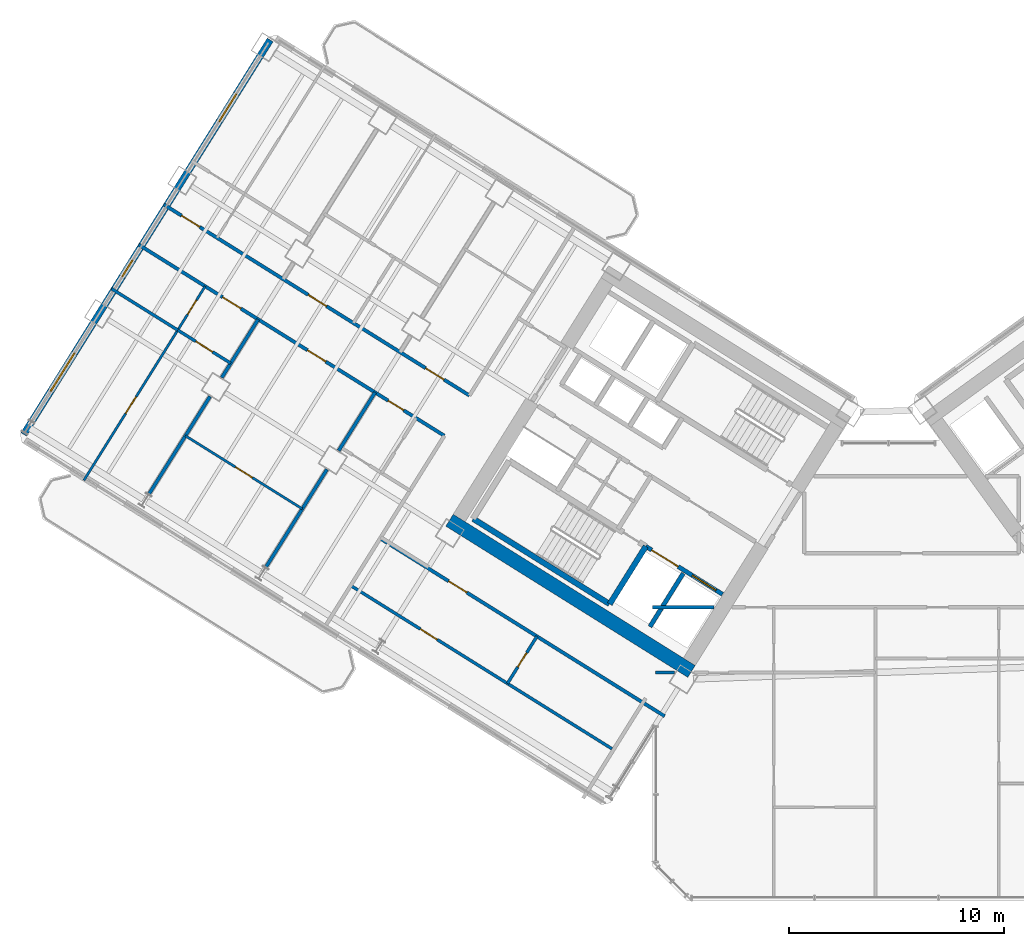
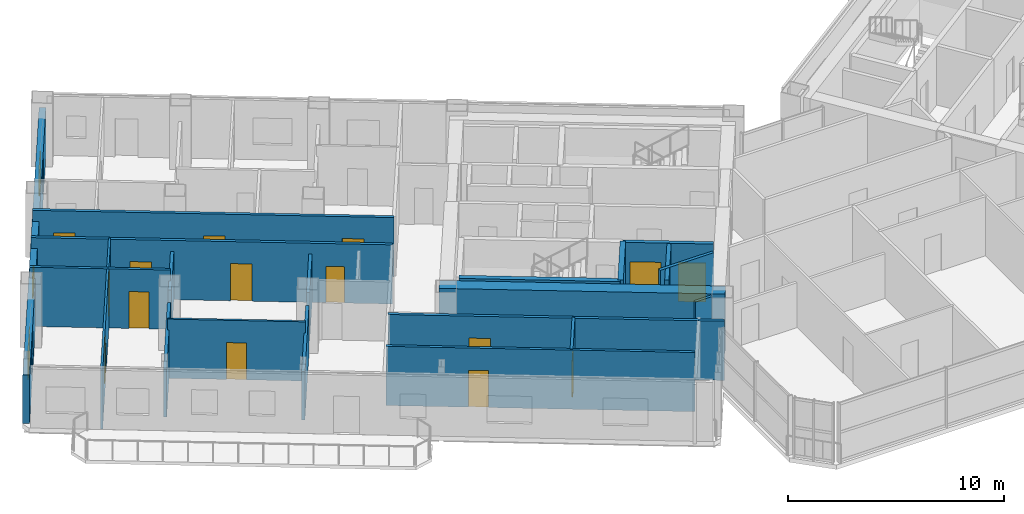
# One storey, part 15 of 28: 21 walls, 15 doors, 3 windows, 18 openings.
"""IFC4 building model written with IfcOpenShell, lengths in metres."""

from ifc_helpers import new_model, si_unit, direction, frame, frame_2d, origin, place, context, subcontext, project, spatial, rectangle, extrude, source, transform, mapped, material, layer, layer_set, type_object, element, fill, save


model = new_model("IFC4")

# Units and contexts
model_context = context("Model", 3, precision=1e-05, world=origin(), true_north=direction((0.0, 1.0)))
body_context = subcontext(model_context, "Body", "Model", "MODEL_VIEW")
ifc_project = project(units=[si_unit("LENGTHUNIT", "METRE"), si_unit("AREAUNIT", "SQUARE_METRE"), si_unit("VOLUMEUNIT", "CUBIC_METRE"), si_unit("PLANEANGLEUNIT", "RADIAN"), si_unit("MASSUNIT", "GRAM", prefix="KILO")], contexts=[model_context])

# Site, building, storey
site_placement = place(None, origin())
site = spatial("IfcSite", under=ifc_project, at=site_placement, CompositionType="ELEMENT")
building_placement = place(site_placement, origin())
building = spatial("IfcBuilding", under=site, at=building_placement, Name="Tlacorven Tower", CompositionType="ELEMENT")
storey_placement = place(building_placement, frame((0.0, 0.0, 49.199951171875)))
storey = spatial("IfcBuildingStorey", under=building, at=storey_placement, Name="L12", CompositionType="ELEMENT", Elevation=49.199951171875)

# Wall
ifc_material_1 = material(Name="Concrete C60/75", Category="concrete")
ifc_layer_1 = layer(ifc_material_1, 0.64990234375)
ifc_layer_set_1 = layer_set([ifc_layer_1], Name="Concrete C60/75")
wall_type_1 = type_object("IfcWallType", Name="WL-COR-650", PredefinedType="SHEAR", material=ifc_layer_set_1)
wall_1_placement = place(storey_placement, frame((33.40869140625, 12.449951171875, 0.0), z_axis=(0.0, 0.0, 1.0), x_axis=(-0.848051132073, 0.529914405721, 0.0)))
element("IfcWall", 1, at=wall_1_placement, inside=storey, type_object=wall_type_1, Name="L12 W core shear wall S2", PredefinedType="SHEAR", context=body_context, shape_type="SweptSolid", body=[
    extrude(rectangle(XDim=13.239990234375, YDim=0.64990234375, at=frame_2d((6.6201171875, 0.0))), origin(), (0.0, 0.0, 1.0), 3.35009765625),
])

# Wall, openings, doors
ifc_material_2 = material(Name="Gypsum plasterboard acoustic partition", Category="gypsum")
ifc_layer_2 = layer(ifc_material_2, 0.159912109375)
ifc_layer_set_2 = layer_set([ifc_layer_2], Name="Gypsum plasterboard acoustic partition")
wall_type_2 = type_object("IfcWallType", Name="WL-DEM-160", PredefinedType="PARTITIONING", material=ifc_layer_set_2)
wall_2_placement = place(storey_placement, frame((23.104248046875, 25.25634765625, 0.0), z_axis=(0.0, 0.0, 1.0), x_axis=(-0.848041752158, 0.529929416617, 0.0)))
wall_2 = element("IfcWall", 2, at=wall_2_placement, inside=storey, type_object=wall_type_2, Name="L12 Wing W Corridor South Wall", PredefinedType="PARTITIONING", context=body_context, shape_type="SweptSolid", body=[
    extrude(rectangle(XDim=16.72998046875, YDim=0.159912109375, at=frame_2d((8.364990234375, 0.0))), origin(), (0.0, 0.0, 1.0), 3.340087890625),
])
opening_1_placement = place(wall_2_placement, frame((1.39501953125, 0.0, 0.0)))
opening_1 = element("IfcOpeningElement", 3, at=opening_1_placement, cuts=wall_2, Name="Opening D11", PredefinedType="OPENING", context=body_context, shape_type="SweptSolid", body=[
    extrude(rectangle(XDim=1.0, YDim=2.10009765625, at=frame_2d((0.5, 1.050048828125))), frame((0.0, 0.08984375, 0.0), z_axis=(0.0, -1.0, 0.0), x_axis=(1.0, 0.0, 0.0)), (0.0, 0.0, 1.0), 0.179931640625),
])
opening_2_placement = place(wall_2_placement, frame((7.820068359375, 0.0, 0.0)))
opening_2 = element("IfcOpeningElement", 4, at=opening_2_placement, cuts=wall_2, Name="Opening D11", PredefinedType="OPENING", context=body_context, shape_type="SweptSolid", body=[
    extrude(rectangle(XDim=1.0, YDim=2.10009765625, at=frame_2d((0.5, 1.050048828125))), frame((0.0, 0.08984375, 0.0), z_axis=(0.0, -1.0, 0.0), x_axis=(1.0, 0.0, 0.0)), (0.0, 0.0, 1.0), 0.179931640625),
])
opening_3_placement = place(wall_2_placement, frame((14.760009765625, 0.0, 0.0)))
opening_3 = element("IfcOpeningElement", 5, at=opening_3_placement, cuts=wall_2, Name="Opening D11", PredefinedType="OPENING", context=body_context, shape_type="SweptSolid", body=[
    extrude(rectangle(XDim=1.0, YDim=2.10009765625, at=frame_2d((0.5, 1.050048828125))), frame((0.0, 0.08984375, 0.0), z_axis=(0.0, -1.0, 0.0), x_axis=(1.0, 0.0, 0.0)), (0.0, 0.0, 1.0), 0.179931640625),
])
ifc_material_3 = material(Name="Fire-rated steel door assembly", Category="steel")
door_type_1 = type_object("IfcDoorType", Name="DR-FLT-FD60-1000", OperationType="NOTDEFINED", PredefinedType="DOOR", material=ifc_material_3)
shared_shape_1 = source(origin(), body_context, "Body", "SweptSolid", [
    extrude(rectangle(XDim=1.0, YDim=2.10009765625, at=frame_2d((0.5, 1.050048828125))), frame((0.0, 0.02490234375, 0.0), z_axis=(0.0, -1.0, 0.0), x_axis=(1.0, 0.0, 0.0)), (0.0, 0.0, 1.0), 0.050048828125),
])
door_1_placement = place(opening_1_placement, origin())
door_1 = element("IfcDoor", 6, at=door_1_placement, inside=storey, type_object=door_type_1, Name="L12 door 033", OperationType="SINGLE_SWING_LEFT", OverallHeight=2.10009765625, OverallWidth=1.0, PredefinedType="DOOR", context=body_context, shape_type="MappedRepresentation", body=[
    mapped(shared_shape_1, transform((0.0, 0.0, 0.0), scale=1.0)),
])
fill(opening_1, door_1)
door_2_placement = place(opening_2_placement, origin())
door_2 = element("IfcDoor", 7, at=door_2_placement, inside=storey, type_object=door_type_1, Name="L12 door 036", OperationType="SINGLE_SWING_RIGHT", OverallHeight=2.10009765625, OverallWidth=1.0, PredefinedType="DOOR", context=body_context, shape_type="MappedRepresentation", body=[
    mapped(shared_shape_1, transform((0.0, 0.0, 0.0), scale=1.0)),
])
fill(opening_2, door_2)
door_3_placement = place(opening_3_placement, origin())
door_3 = element("IfcDoor", 8, at=door_3_placement, inside=storey, type_object=door_type_1, Name="L12 door 040", OperationType="SINGLE_SWING_RIGHT", OverallHeight=2.10009765625, OverallWidth=1.0, PredefinedType="DOOR", context=body_context, shape_type="MappedRepresentation", body=[
    mapped(shared_shape_1, transform((0.0, 0.0, 0.0), scale=1.0)),
])
fill(opening_3, door_3)

wall_3_placement = place(storey_placement, frame((21.9384765625, 23.390625, 0.0), z_axis=(0.0, 0.0, 1.0), x_axis=(-0.848045850158, 0.529922858565, 0.0)))
wall_3 = element("IfcWall", 9, at=wall_3_placement, inside=storey, type_object=wall_type_2, Name="L12 Wing W Corridor North Wall", PredefinedType="PARTITIONING", context=body_context, shape_type="SweptSolid", body=[
    extrude(rectangle(XDim=16.730224609375, YDim=0.159912109375, at=frame_2d((8.365234375, 0.0))), origin(), (0.0, 0.0, 1.0), 3.340087890625),
])
opening_4_placement = place(wall_3_placement, frame((2.219970703125, 0.0, 0.0)))
opening_4 = element("IfcOpeningElement", 10, at=opening_4_placement, cuts=wall_3, Name="Opening D19", PredefinedType="OPENING", context=body_context, shape_type="SweptSolid", body=[
    extrude(rectangle(XDim=0.860107421875, YDim=2.050048828125, at=frame_2d((0.43017578125, 1.02490234375))), frame((0.0, 0.08984375, 0.0), z_axis=(0.0, -1.0, 0.0), x_axis=(1.0, 0.0, 0.0)), (0.0, 0.0, 1.0), 0.179931640625),
])
opening_5_placement = place(wall_3_placement, frame((6.489990234375, 0.0, 0.0)))
opening_5 = element("IfcOpeningElement", 11, at=opening_5_placement, cuts=wall_3, Name="Opening D11", PredefinedType="OPENING", context=body_context, shape_type="SweptSolid", body=[
    extrude(rectangle(XDim=1.0, YDim=2.10009765625, at=frame_2d((0.5, 1.050048828125))), frame((0.0, 0.08984375, 0.0), z_axis=(0.0, -1.0, 0.0), x_axis=(1.0, 0.0, 0.0)), (0.0, 0.0, 1.0), 0.179931640625),
])
opening_6_placement = place(wall_3_placement, frame((11.139892578125, 0.0, 0.0)))
opening_6 = element("IfcOpeningElement", 12, at=opening_6_placement, cuts=wall_3, Name="Opening D11", PredefinedType="OPENING", context=body_context, shape_type="SweptSolid", body=[
    extrude(rectangle(XDim=1.0, YDim=2.10009765625, at=frame_2d((0.5, 1.050048828125))), frame((0.0, 0.08984375, 0.0), z_axis=(0.0, -1.0, 0.0), x_axis=(1.0, 0.0, 0.0)), (0.0, 0.0, 1.0), 0.179931640625),
])
door_type_2 = type_object("IfcDoorType", Name="DR-RSR-FD60-0860", OperationType="NOTDEFINED", PredefinedType="DOOR", material=ifc_material_3)
shared_shape_2 = source(origin(), body_context, "Body", "SweptSolid", [
    extrude(rectangle(XDim=0.860107421875, YDim=2.050048828125, at=frame_2d((0.43017578125, 1.02490234375))), frame((0.0, 0.02490234375, 0.0), z_axis=(0.0, -1.0, 0.0), x_axis=(1.0, 0.0, 0.0)), (0.0, 0.0, 1.0), 0.050048828125),
])
door_4_placement = place(opening_4_placement, origin())
door_4 = element("IfcDoor", 13, at=door_4_placement, inside=storey, type_object=door_type_2, Name="L12 door 023", OperationType="SINGLE_SWING_LEFT", OverallHeight=2.050048828125, OverallWidth=0.860107421875, PredefinedType="DOOR", context=body_context, shape_type="MappedRepresentation", body=[
    mapped(shared_shape_2, transform((0.0, 0.0, 0.0), scale=1.0)),
])
fill(opening_4, door_4)
door_5_placement = place(opening_5_placement, origin())
door_5 = element("IfcDoor", 14, at=door_5_placement, inside=storey, type_object=door_type_1, Name="L12 door 026", OperationType="SINGLE_SWING_RIGHT", OverallHeight=2.10009765625, OverallWidth=1.0, PredefinedType="DOOR", context=body_context, shape_type="MappedRepresentation", body=[
    mapped(shared_shape_1, transform((0.0, 0.0, 0.0), scale=1.0)),
])
fill(opening_5, door_5)
door_6_placement = place(opening_6_placement, origin())
door_6 = element("IfcDoor", 15, at=door_6_placement, inside=storey, type_object=door_type_1, Name="L12 door 029", OperationType="SINGLE_SWING_LEFT", OverallHeight=2.10009765625, OverallWidth=1.0, PredefinedType="DOOR", context=body_context, shape_type="MappedRepresentation", body=[
    mapped(shared_shape_1, transform((0.0, 0.0, 0.0), scale=1.0)),
])
fill(opening_6, door_6)

# Walls
wall_4_placement = place(storey_placement, frame((18.724365234375, 25.399169921875, 0.0), z_axis=(0.0, 0.0, 1.0), x_axis=(-0.529930102756, -0.848041323399, 0.0)))
element("IfcWall", 16, at=wall_4_placement, inside=storey, type_object=wall_type_2, Name="L12 WN Demising Wall 1", PredefinedType="PARTITIONING", context=body_context, shape_type="SweptSolid", body=[
    extrude(rectangle(XDim=3.18798828125, YDim=0.159912109375, at=frame_2d((1.593994140625, 0.0))), origin(), (0.0, 0.0, 1.0), 2.72509765625),
])
wall_5_placement = place(storey_placement, frame((16.4921875, 21.8271484375, 0.0), z_axis=(0.0, 0.0, 1.0), x_axis=(-0.529904608059, -0.848057254175, 0.0)))
element("IfcWall", 17, at=wall_5_placement, inside=storey, type_object=wall_type_2, Name="L12 WN Demising Wall 1", PredefinedType="PARTITIONING", context=body_context, shape_type="SweptSolid", body=[
    extrude(rectangle(XDim=5.350830078125, YDim=0.159912109375, at=frame_2d((2.67529296875, 0.0))), origin(), (0.0, 0.0, 1.0), 2.72509765625),
])
wall_6_placement = place(storey_placement, frame((13.296875, 28.79052734375, 0.0), z_axis=(0.0, 0.0, 1.0), x_axis=(-0.529930102756, -0.848041323399, 0.0)))
element("IfcWall", 18, at=wall_6_placement, inside=storey, type_object=wall_type_2, Name="L12 WN Demising Wall 2", PredefinedType="PARTITIONING", context=body_context, shape_type="SweptSolid", body=[
    extrude(rectangle(XDim=3.18798828125, YDim=0.159912109375, at=frame_2d((1.593994140625, 0.0))), origin(), (0.0, 0.0, 1.0), 2.72509765625),
])
wall_7_placement = place(storey_placement, frame((11.064697265625, 25.218505859375, 0.0), z_axis=(0.0, 0.0, 1.0), x_axis=(-0.529904608059, -0.848057254175, 0.0)))
element("IfcWall", 19, at=wall_7_placement, inside=storey, type_object=wall_type_2, Name="L12 WN Demising Wall 2", PredefinedType="PARTITIONING", context=body_context, shape_type="SweptSolid", body=[
    extrude(rectangle(XDim=5.350830078125, YDim=0.159912109375, at=frame_2d((2.67529296875, 0.0))), origin(), (0.0, 0.0, 1.0), 2.72509765625),
])

# Wall, opening, door
wall_8_placement = place(storey_placement, frame((32.164306640625, 10.373779296875, 0.0), z_axis=(0.0, 0.0, 1.0), x_axis=(-0.848044107957, 0.529925646633, 0.0)))
wall_8 = element("IfcWall", 20, at=wall_8_placement, inside=storey, type_object=wall_type_2, Name="L12 partition 75", PredefinedType="PARTITIONING", context=body_context, shape_type="SweptSolid", body=[
    extrude(rectangle(XDim=15.570068359375, YDim=0.159912109375, at=frame_2d((7.78515625, 0.0))), origin(), (0.0, 0.0, 1.0), 3.340087890625),
])
opening_7_placement = place(wall_8_placement, frame((10.830078125, 0.0, 0.0)))
opening_7 = element("IfcOpeningElement", 21, at=opening_7_placement, cuts=wall_8, Name="Opening D11", PredefinedType="OPENING", context=body_context, shape_type="SweptSolid", body=[
    extrude(rectangle(XDim=1.0, YDim=2.10009765625, at=frame_2d((0.5, 1.050048828125))), frame((0.0, 0.08984375, 0.0), z_axis=(0.0, -1.0, 0.0), x_axis=(1.0, 0.0, 0.0)), (0.0, 0.0, 1.0), 0.179931640625),
])
door_7_placement = place(opening_7_placement, origin())
door_7 = element("IfcDoor", 22, at=door_7_placement, inside=storey, type_object=door_type_1, Name="L12 door 044", OperationType="SINGLE_SWING_RIGHT", OverallHeight=2.10009765625, OverallWidth=1.0, PredefinedType="DOOR", context=body_context, shape_type="MappedRepresentation", body=[
    mapped(shared_shape_1, transform((0.0, 0.0, 0.0), scale=1.0)),
])
fill(opening_7, door_7)

# Wall
wall_9_placement = place(storey_placement, frame((31.60009765625, 15.419921875, 0.0), z_axis=(0.0, 0.0, 1.0), x_axis=(1.0, 0.0, 0.0)))
element("IfcWall", 23, at=wall_9_placement, inside=storey, type_object=wall_type_2, Name="L12 Knuckle Corridor South Wall", PredefinedType="PARTITIONING", context=body_context, shape_type="SweptSolid", body=[
    extrude(rectangle(XDim=2.8662109375, YDim=0.159912109375, at=frame_2d((1.43310546875, 0.0))), origin(), (0.0, 0.0, 1.0), 3.340087890625),
])

# Wall, openings, windows
ifc_material_4 = material(Name="Precast concrete C45/55", Category="concrete")
ifc_layer_3 = layer(ifc_material_4, 0.320068359375)
ifc_layer_set_3 = layer_set([ifc_layer_3], Name="Precast concrete C45/55")
wall_type_3 = type_object("IfcWallType", Name="WL-EXT-320", PredefinedType="STANDARD", material=ifc_layer_set_3)
wall_10_placement = place(storey_placement, frame((2.41455078125, 23.452392578125, 0.0), z_axis=(0.0, 0.0, 1.0), x_axis=(0.52991049553, 0.848053575387, 0.0)))
wall_10 = element("IfcWall", 24, at=wall_10_placement, inside=storey, type_object=wall_type_3, Name="L12 Masonry-Frame Recessed Facade Wall 2", PredefinedType="STANDARD", context=body_context, shape_type="SweptSolid", body=[
    extrude(rectangle(XDim=21.58740234375, YDim=0.320068359375, at=frame_2d((10.793701171875, 0.0))), origin(), (0.0, 0.0, 1.0), 2.72509765625),
])
opening_8_placement = place(wall_10_placement, frame((2.356201171875, 0.0, 0.800048828125)))
opening_8 = element("IfcOpeningElement", 25, at=opening_8_placement, cuts=wall_10, Name="Opening WN04", PredefinedType="OPENING", context=body_context, shape_type="SweptSolid", body=[
    extrude(rectangle(XDim=2.10009765625, YDim=1.550048828125, at=frame_2d((1.050048828125, 0.77490234375))), frame((0.0, 0.169921875, 0.0), z_axis=(0.0, -1.0, 0.0), x_axis=(1.0, 0.0, 0.0)), (0.0, 0.0, 1.0), 0.340087890625),
])
opening_9_placement = place(wall_10_placement, frame((8.638671875, 0.0, 1.0)))
opening_9 = element("IfcOpeningElement", 26, at=opening_9_placement, cuts=wall_10, Name="Opening WN05", PredefinedType="OPENING", context=body_context, shape_type="SweptSolid", body=[
    extrude(rectangle(XDim=0.89990234375, YDim=1.25, at=frame_2d((0.449951171875, 0.625))), frame((0.0, 0.169921875, 0.0), z_axis=(0.0, -1.0, 0.0), x_axis=(1.0, 0.0, 0.0)), (0.0, 0.0, 1.0), 0.340087890625),
])
opening_10_placement = place(wall_10_placement, frame((17.128662109375, 0.0, 0.85009765625)))
opening_10 = element("IfcOpeningElement", 27, at=opening_10_placement, cuts=wall_10, Name="Opening WN02", PredefinedType="OPENING", context=body_context, shape_type="SweptSolid", body=[
    extrude(rectangle(XDim=1.5, YDim=1.5, at=frame_2d((0.75, 0.75))), frame((0.0, 0.169921875, 0.0), z_axis=(0.0, -1.0, 0.0), x_axis=(1.0, 0.0, 0.0)), (0.0, 0.0, 1.0), 0.340087890625),
])
ifc_material_5 = material(Name="Dark solar low-E double glazing in anodised aluminium frame", Category="aluminium")
window_type_1 = type_object("IfcWindowType", Name="WN-APT-2100X1750", PartitioningType="SINGLE_PANEL", PredefinedType="WINDOW", material=ifc_material_5)
shared_shape_3 = source(origin(), body_context, "Body", "SweptSolid", [
    extrude(rectangle(XDim=2.10009765625, YDim=1.550048828125, at=frame_2d((1.050048828125, 0.77490234375))), frame((0.0, 0.030029296875, 0.0), z_axis=(0.0, -1.0, 0.0), x_axis=(1.0, 0.0, 0.0)), (0.0, 0.0, 1.0), 0.06005859375),
])
window_1_placement = place(opening_8_placement, origin())
window_1 = element("IfcWindow", 28, at=window_1_placement, inside=storey, type_object=window_type_1, Name="L12 Recessed Masonry-Frame Window L12-02.1", OverallHeight=1.550048828125, OverallWidth=2.10009765625, PartitioningType="SINGLE_PANEL", PredefinedType="WINDOW", context=body_context, shape_type="MappedRepresentation", body=[
    mapped(shared_shape_3, transform((0.0, 0.0, 0.0), scale=1.0)),
])
fill(opening_8, window_1)
window_type_2 = type_object("IfcWindowType", Name="WN-APT-1500X1650", PartitioningType="SINGLE_PANEL", PredefinedType="WINDOW", material=ifc_material_5)
shared_shape_4 = source(origin(), body_context, "Body", "SweptSolid", [
    extrude(rectangle(XDim=1.5, YDim=1.5, at=frame_2d((0.75, 0.75))), frame((0.0, 0.030029296875, 0.0), z_axis=(0.0, -1.0, 0.0), x_axis=(1.0, 0.0, 0.0)), (0.0, 0.0, 1.0), 0.06005859375),
])
window_2_placement = place(opening_10_placement, origin())
window_2 = element("IfcWindow", 29, at=window_2_placement, inside=storey, type_object=window_type_2, Name="L12 Recessed Masonry-Frame Window L12-02.3", OverallHeight=1.5, OverallWidth=1.5, PartitioningType="SINGLE_PANEL", PredefinedType="WINDOW", context=body_context, shape_type="MappedRepresentation", body=[
    mapped(shared_shape_4, transform((0.0, 0.0, 0.0), scale=1.0)),
])
fill(opening_10, window_2)
window_type_3 = type_object("IfcWindowType", Name="WN-APT-0900X1350", PartitioningType="SINGLE_PANEL", PredefinedType="WINDOW", material=ifc_material_5)
shared_shape_5 = source(origin(), body_context, "Body", "SweptSolid", [
    extrude(rectangle(XDim=0.89990234375, YDim=1.25, at=frame_2d((0.449951171875, 0.625))), frame((0.0, 0.030029296875, 0.0), z_axis=(0.0, -1.0, 0.0), x_axis=(1.0, 0.0, 0.0)), (0.0, 0.0, 1.0), 0.06005859375),
])
window_3_placement = place(opening_9_placement, origin())
window_3 = element("IfcWindow", 30, at=window_3_placement, inside=storey, type_object=window_type_3, Name="L12 Recessed Masonry-Frame Window L12-02.2", OverallHeight=1.25, OverallWidth=0.89990234375, PartitioningType="SINGLE_PANEL", PredefinedType="WINDOW", context=body_context, shape_type="MappedRepresentation", body=[
    mapped(shared_shape_5, transform((0.0, 0.0, 0.0), scale=1.0)),
])
fill(opening_9, window_3)

# Wall, opening, door
ifc_material_6 = material(Name="Gypsum plasterboard partition", Category="gypsum")
ifc_layer_4 = layer(ifc_material_6, 0.110107421875)
ifc_layer_set_4 = layer_set([ifc_layer_4], Name="Gypsum plasterboard partition")
wall_type_4 = type_object("IfcWallType", Name="WL-INT-110", PredefinedType="PARTITIONING", material=ifc_layer_set_4)
wall_11_placement = place(storey_placement, frame((15.34765625, 19.995361328125, 0.0), z_axis=(0.0, 0.0, 1.0), x_axis=(-0.848056163074, 0.529906354247, 0.0)))
wall_11 = element("IfcWall", 31, at=wall_11_placement, inside=storey, type_object=wall_type_4, Name="L12 partition 60", PredefinedType="PARTITIONING", context=body_context, shape_type="SweptSolid", body=[
    extrude(rectangle(XDim=6.39990234375, YDim=0.110107421875, at=frame_2d((3.199951171875, 0.0))), origin(), (0.0, 0.0, 1.0), 3.340087890625),
])
opening_11_placement = place(wall_11_placement, frame((2.739990234375, 0.0, 0.0)))
opening_11 = element("IfcOpeningElement", 32, at=opening_11_placement, cuts=wall_11, Name="Opening D12", PredefinedType="OPENING", context=body_context, shape_type="SweptSolid", body=[
    extrude(rectangle(XDim=0.919921875, YDim=2.080078125, at=frame_2d((0.4599609375, 1.0400390625))), frame((0.0, 0.06494140625, 0.0), z_axis=(0.0, -1.0, 0.0), x_axis=(1.0, 0.0, 0.0)), (0.0, 0.0, 1.0), 0.130126953125),
])
ifc_material_7 = material(Name="Powder-coated aluminium and timber door", Category="wood")
door_type_3 = type_object("IfcDoorType", Name="DR-INT-ROOM-0920", OperationType="NOTDEFINED", PredefinedType="DOOR", material=ifc_material_7)
shared_shape_6 = source(origin(), body_context, "Body", "SweptSolid", [
    extrude(rectangle(XDim=0.919921875, YDim=2.080078125, at=frame_2d((0.4599609375, 1.0400390625))), frame((0.0, 0.02490234375, 0.0), z_axis=(0.0, -1.0, 0.0), x_axis=(1.0, 0.0, 0.0)), (0.0, 0.0, 1.0), 0.050048828125),
])
door_8_placement = place(opening_11_placement, origin())
door_8 = element("IfcDoor", 33, at=door_8_placement, inside=storey, type_object=door_type_3, Name="L12 door 027", OperationType="SINGLE_SWING_LEFT", OverallHeight=2.080078125, OverallWidth=0.919921875, PredefinedType="DOOR", context=body_context, shape_type="MappedRepresentation", body=[
    mapped(shared_shape_6, transform((0.0, 0.0, 0.0), scale=1.0)),
])
fill(opening_11, door_8)

# Wall, openings, doors
wall_12_placement = place(storey_placement, frame((10.83740234375, 30.327392578125, 0.0), z_axis=(0.0, 0.0, 1.0), x_axis=(-0.529912148489, -0.848052542525, 0.0)))
wall_12 = element("IfcWall", 34, at=wall_12_placement, inside=storey, type_object=wall_type_4, Name="L12 partition 61", PredefinedType="PARTITIONING", context=body_context, shape_type="SweptSolid", body=[
    extrude(rectangle(XDim=10.6201171875, YDim=0.110107421875, at=frame_2d((5.31005859375, 0.0))), origin(), (0.0, 0.0, 1.0), 3.340087890625),
])
opening_12_placement = place(wall_12_placement, frame((0.760009765625, 0.0, 0.0)))
opening_12 = element("IfcOpeningElement", 35, at=opening_12_placement, cuts=wall_12, Name="Opening D22", PredefinedType="OPENING", context=body_context, shape_type="SweptSolid", body=[
    extrude(rectangle(XDim=0.780029296875, YDim=2.050048828125, at=frame_2d((0.39013671875, 1.02490234375))), frame((0.0, 0.06494140625, 0.0), z_axis=(0.0, -1.0, 0.0), x_axis=(1.0, 0.0, 0.0)), (0.0, 0.0, 1.0), 0.130126953125),
])
opening_13_placement = place(wall_12_placement, frame((6.050048828125, 0.0, 0.0)))
opening_13 = element("IfcOpeningElement", 36, at=opening_13_placement, cuts=wall_12, Name="Opening D12", PredefinedType="OPENING", context=body_context, shape_type="SweptSolid", body=[
    extrude(rectangle(XDim=0.919921875, YDim=2.080078125, at=frame_2d((0.4599609375, 1.0400390625))), frame((0.0, 0.06494140625, 0.0), z_axis=(0.0, -1.0, 0.0), x_axis=(1.0, 0.0, 0.0)), (0.0, 0.0, 1.0), 0.130126953125),
])
door_type_4 = type_object("IfcDoorType", Name="DR-INT-WET-0780", OperationType="NOTDEFINED", PredefinedType="DOOR", material=ifc_material_7)
shared_shape_7 = source(origin(), body_context, "Body", "SweptSolid", [
    extrude(rectangle(XDim=0.780029296875, YDim=2.050048828125, at=frame_2d((0.39013671875, 1.02490234375))), frame((0.0, 0.02490234375, 0.0), z_axis=(0.0, -1.0, 0.0), x_axis=(1.0, 0.0, 0.0)), (0.0, 0.0, 1.0), 0.050048828125),
])
door_9_placement = place(opening_12_placement, origin())
door_9 = element("IfcDoor", 37, at=door_9_placement, inside=storey, type_object=door_type_4, Name="L12 door 031", OperationType="SINGLE_SWING_LEFT", OverallHeight=2.050048828125, OverallWidth=0.780029296875, PredefinedType="DOOR", context=body_context, shape_type="MappedRepresentation", body=[
    mapped(shared_shape_7, transform((0.0, 0.0, 0.0), scale=1.0)),
])
fill(opening_12, door_9)
door_10_placement = place(opening_13_placement, origin())
door_10 = element("IfcDoor", 38, at=door_10_placement, inside=storey, type_object=door_type_3, Name="L12 door 032", OperationType="SINGLE_SWING_RIGHT", OverallHeight=2.080078125, OverallWidth=0.919921875, PredefinedType="DOOR", context=body_context, shape_type="MappedRepresentation", body=[
    mapped(shared_shape_6, transform((0.0, 0.0, 0.0), scale=1.0)),
])
fill(opening_13, door_10)

# Wall, opening, door
ifc_material_8 = material(Name="Moisture-resistant gypsum plumbing wall", Category="gypsum")
ifc_layer_5 = layer(ifc_material_8, 0.139892578125)
ifc_layer_set_5 = layer_set([ifc_layer_5], Name="Moisture-resistant gypsum plumbing wall")
wall_type_5 = type_object("IfcWallType", Name="WL-PLM-140", PredefinedType="PLUMBINGWALL", material=ifc_layer_set_5)
wall_13_placement = place(storey_placement, frame((12.02490234375, 26.75537109375, 0.0), z_axis=(0.0, 0.0, 1.0), x_axis=(-0.848059786386, 0.529900555496, 0.0)))
wall_13 = element("IfcWall", 39, at=wall_13_placement, inside=storey, type_object=wall_type_5, Name="L12 partition 63", PredefinedType="PLUMBINGWALL", context=body_context, shape_type="SweptSolid", body=[
    extrude(rectangle(XDim=2.89990234375, YDim=0.139892578125, at=frame_2d((1.449951171875, 0.0))), origin(), (0.0, 0.0, 1.0), 3.340087890625),
])
opening_14_placement = place(wall_13_placement, frame((0.989990234375, 0.0, 0.0)))
opening_14 = element("IfcOpeningElement", 40, at=opening_14_placement, cuts=wall_13, Name="Opening D12", PredefinedType="OPENING", context=body_context, shape_type="SweptSolid", body=[
    extrude(rectangle(XDim=0.919921875, YDim=2.080078125, at=frame_2d((0.4599609375, 1.0400390625))), frame((0.0, 0.080078125, 0.0), z_axis=(0.0, -1.0, 0.0), x_axis=(1.0, 0.0, 0.0)), (0.0, 0.0, 1.0), 0.159912109375),
])
door_11_placement = place(opening_14_placement, origin())
door_11 = element("IfcDoor", 41, at=door_11_placement, inside=storey, type_object=door_type_3, Name="L12 door 030", OperationType="SINGLE_SWING_RIGHT", OverallHeight=2.080078125, OverallWidth=0.919921875, PredefinedType="DOOR", context=body_context, shape_type="MappedRepresentation", body=[
    mapped(shared_shape_6, transform((0.0, 0.0, 0.0), scale=1.0)),
])
fill(opening_14, door_11)

# Wall
wall_14_placement = place(storey_placement, frame((9.565673828125, 28.2919921875, 0.0), z_axis=(0.0, 0.0, 1.0), x_axis=(-0.848021036626, 0.529962566074, 0.0)))
element("IfcWall", 42, at=wall_14_placement, inside=storey, type_object=wall_type_5, Name="L12 partition 64", PredefinedType="PLUMBINGWALL", context=body_context, shape_type="SweptSolid", body=[
    extrude(rectangle(XDim=3.619873046875, YDim=0.139892578125, at=frame_2d((1.81005859375, 0.0))), origin(), (0.0, 0.0, 1.0), 3.340087890625),
])

# Wall, opening, door
wall_15_placement = place(storey_placement, frame((29.72021484375, 8.85888671875, 0.0), z_axis=(0.0, 0.0, 1.0), x_axis=(-0.848049134363, 0.529917602752, 0.0)))
wall_15 = element("IfcWall", 43, at=wall_15_placement, inside=storey, type_object=wall_type_5, Name="L12 partition 77", PredefinedType="PLUMBINGWALL", context=body_context, shape_type="SweptSolid", body=[
    extrude(rectangle(XDim=14.300048828125, YDim=0.139892578125, at=frame_2d((7.14990234375, 0.0))), origin(), (0.0, 0.0, 1.0), 3.340087890625),
])
opening_15_placement = place(wall_15_placement, frame((9.570068359375, 0.0, 0.0)))
opening_15 = element("IfcOpeningElement", 44, at=opening_15_placement, cuts=wall_15, Name="Opening D12", PredefinedType="OPENING", context=body_context, shape_type="SweptSolid", body=[
    extrude(rectangle(XDim=0.919921875, YDim=2.080078125, at=frame_2d((0.4599609375, 1.0400390625))), frame((0.0, 0.080078125, 0.0), z_axis=(0.0, -1.0, 0.0), x_axis=(1.0, 0.0, 0.0)), (0.0, 0.0, 1.0), 0.159912109375),
])
door_12_placement = place(opening_15_placement, origin())
door_12 = element("IfcDoor", 45, at=door_12_placement, inside=storey, type_object=door_type_3, Name="L12 door 045", OperationType="SINGLE_SWING_LEFT", OverallHeight=2.080078125, OverallWidth=0.919921875, PredefinedType="DOOR", context=body_context, shape_type="MappedRepresentation", body=[
    mapped(shared_shape_6, transform((0.0, 0.0, 0.0), scale=1.0)),
])
fill(opening_15, door_12)

wall_16_placement = place(storey_placement, frame((26.236572265625, 14.077880859375, 0.0), z_axis=(0.0, 0.0, 1.0), x_axis=(-0.52995640672, -0.848024885824, 0.0)))
wall_16 = element("IfcWall", 46, at=wall_16_placement, inside=storey, type_object=wall_type_5, Name="L12 partition 78", PredefinedType="PLUMBINGWALL", context=body_context, shape_type="SweptSolid", body=[
    extrude(rectangle(XDim=2.579833984375, YDim=0.139892578125, at=frame_2d((1.2900390625, 0.0))), origin(), (0.0, 0.0, 1.0), 3.340087890625),
])
opening_16_placement = place(wall_16_placement, frame((0.89990234375, 0.0, 0.0)))
opening_16 = element("IfcOpeningElement", 47, at=opening_16_placement, cuts=wall_16, Name="Opening D22", PredefinedType="OPENING", context=body_context, shape_type="SweptSolid", body=[
    extrude(rectangle(XDim=0.780029296875, YDim=2.050048828125, at=frame_2d((0.39013671875, 1.02490234375))), frame((0.0, 0.080078125, 0.0), z_axis=(0.0, -1.0, 0.0), x_axis=(1.0, 0.0, 0.0)), (0.0, 0.0, 1.0), 0.159912109375),
])
door_13_placement = place(opening_16_placement, origin())
door_13 = element("IfcDoor", 48, at=door_13_placement, inside=storey, type_object=door_type_4, Name="L12 door 046", OperationType="SINGLE_SWING_RIGHT", OverallHeight=2.050048828125, OverallWidth=0.780029296875, PredefinedType="DOOR", context=body_context, shape_type="MappedRepresentation", body=[
    mapped(shared_shape_7, transform((0.0, 0.0, 0.0), scale=1.0)),
])
fill(opening_16, door_13)

# Wall
wall_17_placement = place(storey_placement, frame((31.739990234375, 12.389892578125, 0.0), z_axis=(0.0, 0.0, 1.0), x_axis=(1.0, 0.0, 0.0)))
element("IfcWall", 49, at=wall_17_placement, inside=storey, type_object=wall_type_5, Name="L12 partition 88", PredefinedType="PLUMBINGWALL", context=body_context, shape_type="SweptSolid", body=[
    extrude(rectangle(XDim=0.891845703125, YDim=0.139892578125, at=frame_2d((0.44580078125, 0.0))), origin(), (0.0, 0.0, 1.0), 3.340087890625),
])

# Wall, openings, doors
ifc_material_9 = material(Name="Concrete C40/50", Category="concrete")
ifc_layer_6 = layer(ifc_material_9, 0.199951171875)
ifc_layer_set_6 = layer_set([ifc_layer_6], Name="Concrete C40/50")
wall_type_6 = type_object("IfcWallType", Name="WL-SHF-200", PredefinedType="STANDARD", material=ifc_layer_set_6)
wall_18_placement = place(storey_placement, frame((34.84814453125, 16.03125, 0.0), z_axis=(0.0, 0.0, 1.0), x_axis=(-0.848044042236, 0.529925751807, 0.0)))
wall_18 = element("IfcWall", 50, at=wall_18_placement, inside=storey, type_object=wall_type_6, Name="L12 Core W Firefighting Lift Shaft Front Wall", PredefinedType="STANDARD", context=body_context, shape_type="SweptSolid", body=[
    extrude(rectangle(XDim=4.197998046875, YDim=0.199951171875, at=frame_2d((2.09912109375, 0.0))), origin(), (0.0, 0.0, 1.0), 3.340087890625),
])
opening_17_placement = place(wall_18_placement, frame((0.347900390625, 0.0, 0.0)))
opening_17 = element("IfcOpeningElement", 51, at=opening_17_placement, cuts=wall_18, Name="Opening LD03", PredefinedType="OPENING", context=body_context, shape_type="SweptSolid", body=[
    extrude(rectangle(XDim=1.300048828125, YDim=2.199951171875, at=frame_2d((0.64990234375, 1.10009765625))), frame((0.0, 0.10986328125, 0.0), z_axis=(0.0, -1.0, 0.0), x_axis=(1.0, 0.0, 0.0)), (0.0, 0.0, 1.0), 0.219970703125),
])
opening_18_placement = place(wall_18_placement, frame((2.423095703125, 0.0, 0.0)))
opening_18 = element("IfcOpeningElement", 52, at=opening_18_placement, cuts=wall_18, Name="Opening LD04", PredefinedType="OPENING", context=body_context, shape_type="SweptSolid", body=[
    extrude(rectangle(XDim=1.449951171875, YDim=2.25, at=frame_2d((0.72509765625, 1.125))), frame((0.0, 0.10986328125, 0.0), z_axis=(0.0, -1.0, 0.0), x_axis=(1.0, 0.0, 0.0)), (0.0, 0.0, 1.0), 0.219970703125),
])
door_type_5 = type_object("IfcDoorType", Name="DR-LFT-SLID-1300", OperationType="DOUBLE_DOOR_SLIDING", PredefinedType="DOOR", material=ifc_material_3)
shared_shape_8 = source(origin(), body_context, "Body", "SweptSolid", [
    extrude(rectangle(XDim=1.300048828125, YDim=2.199951171875, at=frame_2d((0.64990234375, 1.10009765625))), frame((0.0, 0.02490234375, 0.0), z_axis=(0.0, -1.0, 0.0), x_axis=(1.0, 0.0, 0.0)), (0.0, 0.0, 1.0), 0.050048828125),
])
door_14_placement = place(opening_17_placement, origin())
door_14 = element("IfcDoor", 53, at=door_14_placement, inside=storey, type_object=door_type_5, Name="L12 Lift FFL-W1 Sliding Landing Door", OperationType="DOUBLE_DOOR_SLIDING", OverallHeight=2.199951171875, OverallWidth=1.300048828125, PredefinedType="DOOR", context=body_context, shape_type="MappedRepresentation", body=[
    mapped(shared_shape_8, transform((0.0, 0.0, 0.0), scale=1.0)),
])
fill(opening_17, door_14)
door_type_6 = type_object("IfcDoorType", Name="DR-LFT-SLID-1450", OperationType="DOUBLE_DOOR_SLIDING", PredefinedType="DOOR", material=ifc_material_3)
shared_shape_9 = source(origin(), body_context, "Body", "SweptSolid", [
    extrude(rectangle(XDim=1.449951171875, YDim=2.25, at=frame_2d((0.72509765625, 1.125))), frame((0.0, 0.02490234375, 0.0), z_axis=(0.0, -1.0, 0.0), x_axis=(1.0, 0.0, 0.0)), (0.0, 0.0, 1.0), 0.050048828125),
])
door_15_placement = place(opening_18_placement, origin())
door_15 = element("IfcDoor", 54, at=door_15_placement, inside=storey, type_object=door_type_6, Name="L12 Lift SVL-W1 Sliding Landing Door", OperationType="DOUBLE_DOOR_SLIDING", OverallHeight=2.25, OverallWidth=1.449951171875, PredefinedType="DOOR", context=body_context, shape_type="MappedRepresentation", body=[
    mapped(shared_shape_9, transform((0.0, 0.0, 0.0), scale=1.0)),
])
fill(opening_18, door_15)

# Walls
wall_19_placement = place(storey_placement, frame((33.02880859375, 17.003173828125, 0.0), z_axis=(0.0, 0.0, 1.0), x_axis=(-0.529916267533, -0.848049968695, 0.0)))
element("IfcWall", 55, at=wall_19_placement, inside=storey, type_object=wall_type_6, Name="L12 partition 14", PredefinedType="STANDARD", context=body_context, shape_type="SweptSolid", body=[
    extrude(rectangle(XDim=2.919921875, YDim=0.199951171875, at=frame_2d((1.4599609375, 0.0))), origin(), (0.0, 0.0, 1.0), 3.340087890625),
])
ifc_material_10 = material(Name="Concrete C50/60", Category="concrete")
ifc_layer_7 = layer(ifc_material_10, 0.260009765625)
ifc_layer_set_7 = layer_set([ifc_layer_7], Name="Concrete C50/60")
wall_type_7 = type_object("IfcWallType", Name="WL-STW-260", PredefinedType="SHEAR", material=ifc_layer_set_7)
wall_20_placement = place(storey_placement, frame((29.60498046875, 15.581298828125, 0.0), z_axis=(0.0, 0.0, 1.0), x_axis=(-0.848036911448, 0.529937163087, 0.0)))
element("IfcWall", 56, at=wall_20_placement, inside=storey, type_object=wall_type_7, Name="L12 Stair W1 Far Shear Wall", PredefinedType="SHEAR", context=body_context, shape_type="SweptSolid", body=[
    extrude(rectangle(XDim=7.4599609375, YDim=0.260009765625, at=frame_2d((3.72998046875, 0.0))), origin(), (0.0, 0.0, 1.0), 3.35009765625),
])
wall_21_placement = place(storey_placement, frame((31.2880859375, 18.255859375, 0.0), z_axis=(0.0, 0.0, 1.0), x_axis=(-0.529943379326, -0.848033026897, 0.0)))
element("IfcWall", 57, at=wall_21_placement, inside=storey, type_object=wall_type_7, Name="L12 Stair W1 West Shear Wall", PredefinedType="SHEAR", context=body_context, shape_type="SweptSolid", body=[
    extrude(rectangle(XDim=3.159912109375, YDim=0.260009765625, at=frame_2d((1.580078125, 0.0))), origin(), (0.0, 0.0, 1.0), 3.35009765625),
])

save(model, "model.ifc")
